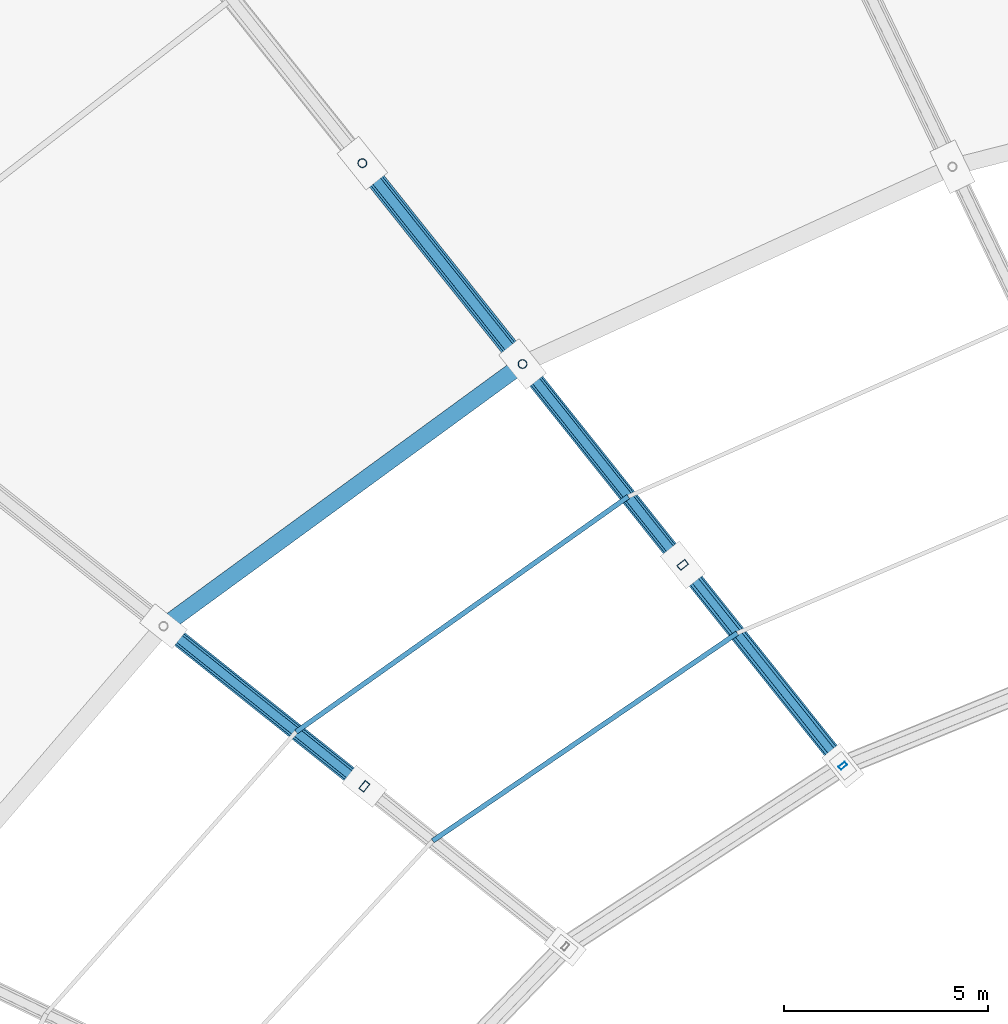
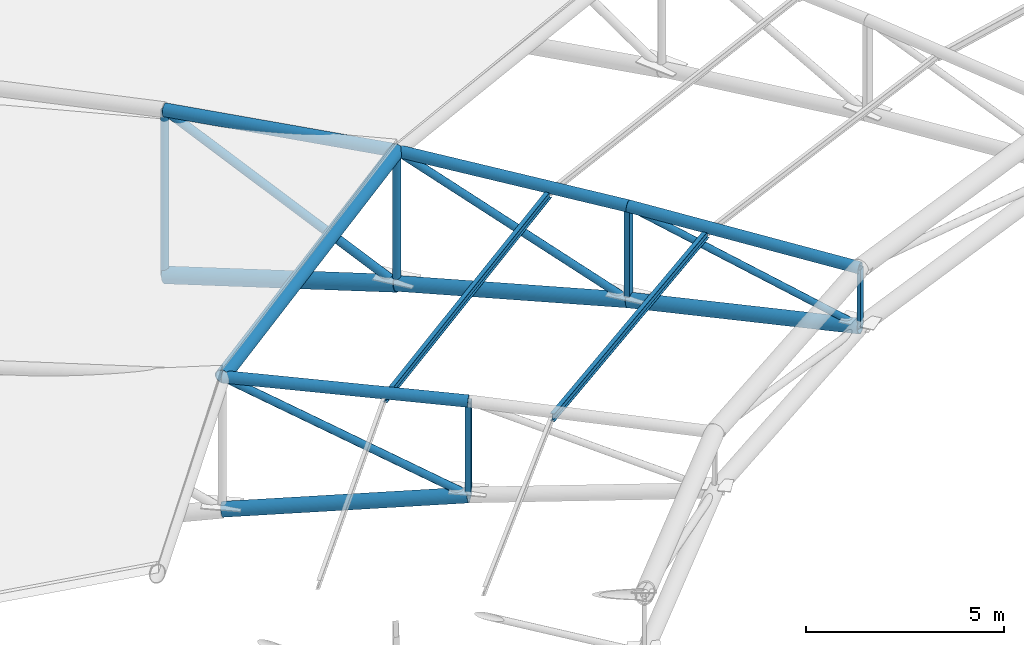
# One storey, part 41 of 108: 20 members.
"""IFC4 building model written with IfcOpenShell, lengths in metres."""

from ifc_helpers import new_model, si_unit, direction, frame, origin, origin_2d, place, context, subcontext, project, spatial, hollow_rectangle, hollow_circle, i_section, extrude, material, material_profile, profile_set, type_object, element, save


model = new_model("IFC4")

# Units and contexts
model_context = context("Model", 3, precision=1e-05, world=origin(), true_north=direction((0.0, 1.0)))
body_context = subcontext(model_context, "Body", "Model", "MODEL_VIEW")
ifc_project = project(units=[si_unit("LENGTHUNIT", "METRE"), si_unit("AREAUNIT", "SQUARE_METRE"), si_unit("VOLUMEUNIT", "CUBIC_METRE"), si_unit("PLANEANGLEUNIT", "RADIAN"), si_unit("MASSUNIT", "GRAM", prefix="KILO")], contexts=[model_context])

# Site, building, storey
site_placement = place(None, origin())
site = spatial("IfcSite", under=ifc_project, at=site_placement, CompositionType="ELEMENT")
building_placement = place(site_placement, origin())
building = spatial("IfcBuilding", under=site, at=building_placement, Name="Zevraka Park Crest Stadium", CompositionType="ELEMENT")
storey_placement = place(building_placement, frame((0.0, 0.0, 29.39990234375)))
storey = spatial("IfcBuildingStorey", under=building, at=storey_placement, Name="RF", CompositionType="ELEMENT", Elevation=29.39990234375)

# Members
ifc_material_1 = material(Name="Steel S355", Category="steel")
ifc_material_profile_1 = material_profile(ifc_material_1, i_section(OverallWidth=0.1201171875, OverallDepth=0.239990234375, WebThickness=0.006103515625, FlangeThickness=0.009765625, at=origin_2d()), Name="IPE 240")
ifc_profile_set_1 = profile_set([ifc_material_profile_1], Name="Steel S355")
member_type_1 = type_object("IfcMemberType", Name="PR01", PredefinedType="PURLIN", material=ifc_profile_set_1)
member_1_placement = place(storey_placement, frame((79.926025390625, 120.490966796875, 9.153076171875), z_axis=(-0.816040825272, -0.577994265966, 0.0), x_axis=(0.577994265966, -0.816040825272, 0.0)))
element("IfcMember", 1, at=member_1_placement, inside=storey, type_object=member_type_1, Name="Canopy Roof Purlin PR01 INNER-11-1", PredefinedType="PURLIN", context=body_context, shape_type="SweptSolid", body=[
    extrude(i_section(OverallWidth=0.1201171875, OverallDepth=0.239990234375, WebThickness=0.006103515625, FlangeThickness=0.009765625, at=origin_2d()), origin(), (0.0, 0.0, 1.0), 9.981201171875),
])
member_2_placement = place(storey_placement, frame((82.597900390625, 117.14208984375, 9.01708984375), z_axis=(-0.82621648522, -0.563352748774, 0.0), x_axis=(0.563352748774, -0.82621648522, 0.0)))
element("IfcMember", 2, at=member_2_placement, inside=storey, type_object=member_type_1, Name="Canopy Roof Purlin PR01 INNER-11-2", PredefinedType="PURLIN", context=body_context, shape_type="SweptSolid", body=[
    extrude(i_section(OverallWidth=0.1201171875, OverallDepth=0.239990234375, WebThickness=0.006103515625, FlangeThickness=0.009765625, at=origin_2d()), origin(), (0.0, 0.0, 1.0), 9.038818359375),
])
ifc_material_2 = material(Name="Steel S355", Category="steel")
ifc_material_profile_2 = material_profile(ifc_material_2, hollow_circle(Radius=0.228515625, WallThickness=0.02490234375, at=origin_2d()), Name="CHS 457.0x25")
ifc_profile_set_2 = profile_set([ifc_material_profile_2], Name="Steel S355")
member_type_2 = type_object("IfcMemberType", Name="TC02", PredefinedType="CHORD", material=ifc_profile_set_2)
member_3_placement = place(storey_placement, frame((73.406005859375, 128.66796875, 3.9501953125), z_axis=(0.609616801218, -0.764512287785, 0.209495387776), x_axis=(0.781862092926, 0.623451415626, 0.0)))
element("IfcMember", 3, at=member_3_placement, inside=storey, type_object=member_type_2, Name="Roof Truss Bottom Chord TC02 T11-5", PredefinedType="CHORD", context=body_context, shape_type="SweptSolid", body=[
    extrude(hollow_circle(Radius=0.228515625, WallThickness=0.02490234375, at=origin_2d()), origin(), (0.0, 0.0, 1.0), 6.443359375),
])
ifc_material_3 = material(Name="Steel S355", Category="steel")
ifc_material_profile_3 = material_profile(ifc_material_3, hollow_circle(Radius=0.203125, WallThickness=0.02001953125, at=origin_2d()), Name="CHS 406.4x20")
ifc_profile_set_3 = profile_set([ifc_material_profile_3], Name="Steel S355")
member_type_3 = type_object("IfcMemberType", Name="TC03", PredefinedType="CHORD", material=ifc_profile_set_3)
member_4_placement = place(storey_placement, frame((77.333984375, 123.741943359375, 5.300048828125), z_axis=(0.614231681473, -0.770147038993, 0.172026102102), x_axis=(0.781801834506, 0.623526977414, 0.0)))
element("IfcMember", 4, at=member_4_placement, inside=storey, type_object=member_type_3, Name="Roof Truss Bottom Chord TC03 T11-6", PredefinedType="CHORD", context=body_context, shape_type="SweptSolid", body=[
    extrude(hollow_circle(Radius=0.203125, WallThickness=0.02001953125, at=origin_2d()), origin(), (0.0, 0.0, 1.0), 6.39501953125),
])
member_5_placement = place(storey_placement, frame((81.261962890625, 118.81689453125, 6.400146484375), z_axis=(0.618503261421, -0.775618236213, 0.125976455198), x_axis=(0.781847030375, 0.623470304902, 0.0)))
element("IfcMember", 5, at=member_5_placement, inside=storey, type_object=member_type_3, Name="Roof Truss Bottom Chord TC03 T11-7", PredefinedType="CHORD", context=body_context, shape_type="SweptSolid", body=[
    extrude(hollow_circle(Radius=0.203125, WallThickness=0.02001953125, at=origin_2d()), origin(), (0.0, 0.0, 1.0), 6.350830078125),
])
member_6_placement = place(storey_placement, frame((68.530029296875, 117.31396484375, 5.300048828125), z_axis=(0.770209161073, -0.614159448506, 0.172005872022), x_axis=(0.623451415626, 0.781862092926, 0.0)))
element("IfcMember", 6, at=member_6_placement, inside=storey, type_object=member_type_3, Name="Roof Truss Bottom Chord TC03 T12-6", PredefinedType="CHORD", context=body_context, shape_type="SweptSolid", body=[
    extrude(hollow_circle(Radius=0.203125, WallThickness=0.02001953125, at=origin_2d()), origin(), (0.0, 0.0, 1.0), 6.395751953125),
])
member_7_placement = place(storey_placement, frame((77.333984375, 123.741943359375, 9.400146484375), z_axis=(-0.807639312587, -0.589676810435, 0.0), x_axis=(0.589676810435, -0.807639312587, 0.0)))
element("IfcMember", 7, at=member_7_placement, inside=storey, type_object=member_type_3, Name="Roof Canopy Arch Crown Ring Chord TC03 11", PredefinedType="CHORD", context=body_context, shape_type="SweptSolid", body=[
    extrude(hollow_circle(Radius=0.203125, WallThickness=0.02001953125, at=origin_2d()), origin(), (0.0, 0.0, 1.0), 10.90087890625),
])
ifc_material_4 = material(Name="Steel S355", Category="steel")
ifc_material_profile_4 = material_profile(ifc_material_4, hollow_circle(Radius=0.161865234375, WallThickness=0.01611328125, at=origin_2d()), Name="CHS 323.9x16")
ifc_profile_set_4 = profile_set([ifc_material_profile_4], Name="Steel S355")
member_type_4 = type_object("IfcMemberType", Name="TC04", PredefinedType="CHORD", material=ifc_profile_set_4)
member_8_placement = place(storey_placement, frame((77.333984375, 123.741943359375, 9.400146484375), z_axis=(0.623448279516, -0.781703160089, -0.015887488011), x_axis=(0.781801834506, 0.623526977414, 0.0)))
element("IfcMember", 8, at=member_8_placement, inside=storey, type_object=member_type_4, Name="Roof Truss Top Chord TC04 T11-6", PredefinedType="CHORD", context=body_context, shape_type="SweptSolid", body=[
    extrude(hollow_circle(Radius=0.161865234375, WallThickness=0.01611328125, at=origin_2d()), origin(), (0.0, 0.0, 1.0), 6.30029296875),
])
member_9_placement = place(storey_placement, frame((81.261962890625, 118.81689453125, 9.300048828125), z_axis=(0.622764434517, -0.780961851627, -0.047571476787), x_axis=(0.781847030375, 0.623470304902, 0.0)))
element("IfcMember", 9, at=member_9_placement, inside=storey, type_object=member_type_4, Name="Roof Truss Top Chord TC04 T11-7", PredefinedType="CHORD", context=body_context, shape_type="SweptSolid", body=[
    extrude(hollow_circle(Radius=0.161865234375, WallThickness=0.01611328125, at=origin_2d()), origin(), (0.0, 0.0, 1.0), 6.307373046875),
])
member_10_placement = place(storey_placement, frame((68.530029296875, 117.31396484375, 9.400146484375), z_axis=(0.781763434815, -0.623372746332, -0.01588556318), x_axis=(0.623451415626, 0.781862092926, 0.0)))
element("IfcMember", 10, at=member_10_placement, inside=storey, type_object=member_type_4, Name="Roof Truss Top Chord TC04 T12-6", PredefinedType="CHORD", context=body_context, shape_type="SweptSolid", body=[
    extrude(hollow_circle(Radius=0.161865234375, WallThickness=0.01611328125, at=origin_2d()), origin(), (0.0, 0.0, 1.0), 6.30126953125),
])
ifc_material_5 = material(Name="Steel S355", Category="steel")
ifc_material_profile_5 = material_profile(ifc_material_5, hollow_circle(Radius=0.177734375, WallThickness=0.01611328125, at=origin_2d()), Name="CHS 355.6x16")
ifc_profile_set_5 = profile_set([ifc_material_profile_5], Name="Steel S355")
member_type_5 = type_object("IfcMemberType", Name="TC05", PredefinedType="CHORD", material=ifc_profile_set_5)
member_11_placement = place(storey_placement, frame((73.406005859375, 128.66796875, 9.050048828125), z_axis=(0.622491100613, -0.780657774695, 0.055482145458), x_axis=(0.781862092926, 0.623451415626, 0.0)))
element("IfcMember", 11, at=member_11_placement, inside=storey, type_object=member_type_5, Name="Roof Truss Top Chord TC05 T11-5", PredefinedType="CHORD", context=body_context, shape_type="SweptSolid", body=[
    extrude(hollow_circle(Radius=0.177734375, WallThickness=0.01611328125, at=origin_2d()), origin(), (0.0, 0.0, 1.0), 6.31005859375),
])
ifc_material_6 = material(Name="Steel S355", Category="steel")
ifc_material_profile_6 = material_profile(ifc_material_6, hollow_circle(Radius=0.109619140625, WallThickness=0.010009765625, at=origin_2d()), Name="CHS 219.1x10")
ifc_profile_set_6 = profile_set([ifc_material_profile_6], Name="Steel S355")
member_type_6 = type_object("IfcMemberType", Name="WB02", PredefinedType="BRACE", material=ifc_profile_set_6)
member_12_placement = place(storey_placement, frame((73.406005859375, 128.66796875, 3.9501953125), z_axis=(0.0, 0.0, 1.0), x_axis=(-0.623470308046, 0.781847027868, 0.0)))
element("IfcMember", 12, at=member_12_placement, inside=storey, type_object=member_type_6, Name="Roof Truss Web Post WB02 T11-4", PredefinedType="BRACE", context=body_context, shape_type="SweptSolid", body=[
    extrude(hollow_circle(Radius=0.109619140625, WallThickness=0.010009765625, at=origin_2d()), origin(), (0.0, 0.0, 1.0), 5.099853515625),
])
member_13_placement = place(storey_placement, frame((77.333984375, 123.741943359375, 5.300048828125), z_axis=(0.0, 0.0, 1.0), x_axis=(-0.623470308046, 0.781847027868, 0.0)))
element("IfcMember", 13, at=member_13_placement, inside=storey, type_object=member_type_6, Name="Roof Truss Web Post WB02 T11-5", PredefinedType="BRACE", context=body_context, shape_type="SweptSolid", body=[
    extrude(hollow_circle(Radius=0.109619140625, WallThickness=0.010009765625, at=origin_2d()), origin(), (0.0, 0.0, 1.0), 4.10009765625),
])
member_14_placement = place(storey_placement, frame((81.261962890625, 118.81689453125, 6.400146484375), z_axis=(-0.562951494034, 0.705849990002, 0.429955122052), x_axis=(-0.781801834506, -0.623526977414, 0.0)))
element("IfcMember", 14, at=member_14_placement, inside=storey, type_object=member_type_6, Name="Roof Truss Web Diagonal WB02 T11-6", PredefinedType="BRACE", context=body_context, shape_type="SweptSolid", body=[
    extrude(hollow_circle(Radius=0.109619140625, WallThickness=0.010009765625, at=origin_2d()), origin(), (0.0, 0.0, 1.0), 6.9775390625),
])
member_15_placement = place(storey_placement, frame((73.4560546875, 113.385986328125, 6.400146484375), z_axis=(-0.70592020781, 0.562895882612, 0.429912648737), x_axis=(-0.623451415626, -0.781862092926, 0.0)))
element("IfcMember", 15, at=member_15_placement, inside=storey, type_object=member_type_6, Name="Roof Truss Web Diagonal WB02 T12-6", PredefinedType="BRACE", context=body_context, shape_type="SweptSolid", body=[
    extrude(hollow_circle(Radius=0.109619140625, WallThickness=0.010009765625, at=origin_2d()), origin(), (0.0, 0.0, 1.0), 6.978271484375),
])
ifc_material_7 = material(Name="Steel S355", Category="steel")
ifc_material_profile_7 = material_profile(ifc_material_7, hollow_rectangle(XDim=0.14990234375, YDim=0.25, WallThickness=0.010009765625, at=origin_2d()), Name="RHS 250x150x10")
ifc_profile_set_7 = profile_set([ifc_material_profile_7], Name="Steel S355")
member_type_7 = type_object("IfcMemberType", Name="WB04", PredefinedType="BRACE", material=ifc_profile_set_7)
for number, where, z_axis, x_axis, name in (
    (16, (81.261962890625, 118.81689453125, 6.400146484375), (0.0, 0.0, 1.0), (-0.623470308046, 0.781847027868, 0.0), "Roof Truss Web Post WB04 T11-6"),
    (17, (73.4560546875, 113.385986328125, 6.400146484375), (0.0, 0.0, 1.0), (-0.781847027868, 0.623470308046, 0.0), "Roof Truss Web Post WB04 T12-6"),
):
    element("IfcMember", number, at=place(storey_placement, frame(where, z_axis=z_axis, x_axis=x_axis)), inside=storey, type_object=member_type_7, Name=name, PredefinedType="BRACE", context=body_context, shape_type="SweptSolid", body=[
        extrude(hollow_rectangle(XDim=0.14990234375, YDim=0.25, WallThickness=0.010009765625, at=origin_2d()), origin(), (0.0, 0.0, 1.0), 2.89990234375),
    ])
ifc_material_8 = material(Name="Steel S355", Category="steel")
ifc_material_profile_8 = material_profile(ifc_material_8, hollow_rectangle(XDim=0.10009765625, YDim=0.199951171875, WallThickness=0.008056640625, at=origin_2d()), Name="RHS 200x100x8")
ifc_profile_set_8 = profile_set([ifc_material_profile_8], Name="Steel S355")
member_type_8 = type_object("IfcMemberType", Name="WB05", PredefinedType="BRACE", material=ifc_profile_set_8)
member_16_placement = place(storey_placement, frame((85.18994140625, 113.89111328125, 7.2001953125), z_axis=(0.0, 0.0, 1.0), x_axis=(-0.623470308046, 0.781847027868, 0.0)))
element("IfcMember", 18, at=member_16_placement, inside=storey, type_object=member_type_8, Name="Roof Truss Web Post WB05 T11-7", PredefinedType="BRACE", context=body_context, shape_type="SweptSolid", body=[
    extrude(hollow_rectangle(XDim=0.10009765625, YDim=0.199951171875, WallThickness=0.008056640625, at=origin_2d()), origin(), (0.0, 0.0, 1.0), 1.7998046875),
])
ifc_material_9 = material(Name="Steel S355", Category="steel")
ifc_material_profile_9 = material_profile(ifc_material_9, hollow_circle(Radius=0.122314453125, WallThickness=0.012451171875, at=origin_2d()), Name="CHS 244.5x12.5")
ifc_profile_set_9 = profile_set([ifc_material_profile_9], Name="Steel S355")
member_type_9 = type_object("IfcMemberType", Name="WB07", PredefinedType="BRACE", material=ifc_profile_set_9)
member_17_placement = place(storey_placement, frame((77.333984375, 123.741943359375, 5.300048828125), z_axis=(-0.535735735861, 0.671859030547, 0.511461302929), x_axis=(-0.781862092926, -0.623451415626, 0.0)))
element("IfcMember", 19, at=member_17_placement, inside=storey, type_object=member_type_9, Name="Roof Truss Web Diagonal WB07 T11-5", PredefinedType="BRACE", context=body_context, shape_type="SweptSolid", body=[
    extrude(hollow_circle(Radius=0.122314453125, WallThickness=0.012451171875, at=origin_2d()), origin(), (0.0, 0.0, 1.0), 7.33203125),
])
ifc_material_10 = material(Name="Steel S355", Category="steel")
ifc_material_profile_10 = material_profile(ifc_material_10, hollow_circle(Radius=0.096923828125, WallThickness=0.010009765625, at=origin_2d()), Name="CHS 193.7x10")
ifc_profile_set_10 = profile_set([ifc_material_profile_10], Name="Steel S355")
member_type_10 = type_object("IfcMemberType", Name="WB08", PredefinedType="BRACE", material=ifc_profile_set_10)
member_18_placement = place(storey_placement, frame((85.18994140625, 113.89111328125, 7.2001953125), z_axis=(-0.591481731202, 0.741732575594, 0.316199538198), x_axis=(-0.781847030375, -0.623470304902, 0.0)))
element("IfcMember", 20, at=member_18_placement, inside=storey, type_object=member_type_10, Name="Roof Truss Web Diagonal WB08 T11-7", PredefinedType="BRACE", context=body_context, shape_type="SweptSolid", body=[
    extrude(hollow_circle(Radius=0.096923828125, WallThickness=0.010009765625, at=origin_2d()), origin(), (0.0, 0.0, 1.0), 6.640869140625),
])

save(model, "model.ifc")
